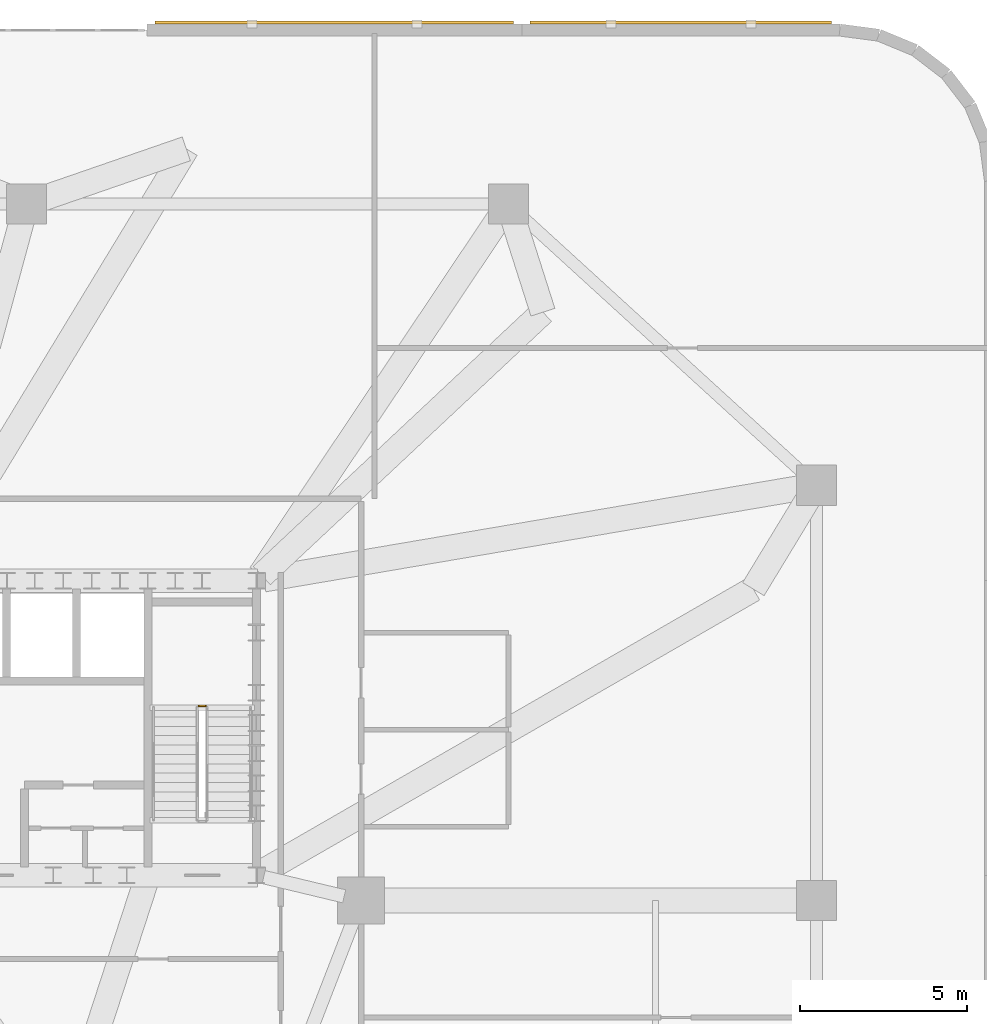
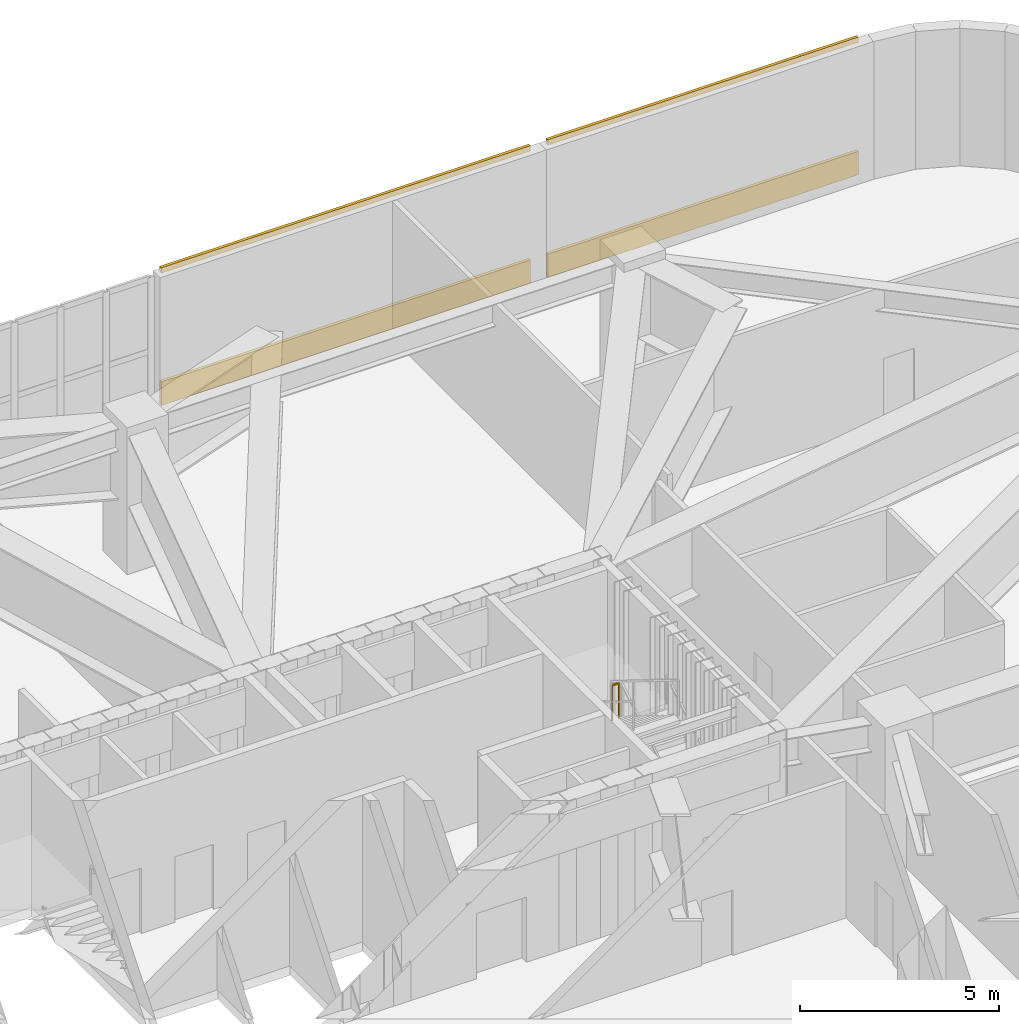
# One storey, part 25 of 26: 4 coverings, 1 railing.
"""IFC4 building model written with IfcOpenShell, lengths in metres."""

from ifc_helpers import new_model, si_unit, direction, frame, origin, origin_2d, place, context, subcontext, project, spatial, polyline, rectangle, outline, extrude, material, layer, layer_set, type_object, element, save


model = new_model("IFC4")

# Units and contexts
model_context = context("Model", 3, precision=1e-05, world=origin(), true_north=direction((0.0, 1.0)))
body_context = subcontext(model_context, "Body", "Model", "MODEL_VIEW")
ifc_project = project(units=[si_unit("LENGTHUNIT", "METRE"), si_unit("AREAUNIT", "SQUARE_METRE"), si_unit("VOLUMEUNIT", "CUBIC_METRE"), si_unit("PLANEANGLEUNIT", "RADIAN"), si_unit("MASSUNIT", "GRAM", prefix="KILO")], contexts=[model_context])

# Site, building, storey
site_placement = place(None, origin())
site = spatial("IfcSite", under=ifc_project, at=site_placement, CompositionType="ELEMENT")
building_placement = place(site_placement, origin())
building = spatial("IfcBuilding", under=site, at=building_placement, Name="Haldorwick Loom Tower", CompositionType="ELEMENT")
storey_placement = place(building_placement, frame((0.0, 0.0, 19.5)))
storey = spatial("IfcBuildingStorey", under=building, at=storey_placement, Name="L04", CompositionType="ELEMENT", Elevation=19.5)

# Coverings
ifc_material_1 = material(Name="Corbelled Pressed Clay Face Brick Veneer", Category="masonry")
ifc_layer = layer(ifc_material_1, 0.090087890625, Name="Corbelled Pressed Clay Face Brick Veneer", Category="masonry")
ifc_layer_set = layer_set([ifc_layer], Name="Corbelled Pressed Clay Face Brick Veneer")
covering_type = type_object("IfcCoveringType", Name="ARC-COV-BRICK090", PredefinedType="CLADDING", material=ifc_layer_set)
covering_1_placement = place(storey_placement, origin())
element("IfcCovering", 1, at=covering_1_placement, inside=storey, type_object=covering_type, Name="L04 Sill Face-Brick Spandrel 17", PredefinedType="CLADDING", context=body_context, shape_type="SweptSolid", body=[
    extrude(outline(polyline([(67.25, 52.27001953125), (58.25, 52.27001953125), (58.25, 52.179931640625), (67.25, 52.179931640625), (67.25, 52.27001953125)])), origin(), (0.0, 0.0, 1.0), 0.719970703125),
])
covering_2_placement = place(storey_placement, frame((0.0, 0.0, 4.06005859375)))
element("IfcCovering", 2, at=covering_2_placement, inside=storey, type_object=covering_type, Name="L04 Head Face-Brick Lintel Band 17", PredefinedType="CLADDING", context=body_context, shape_type="SweptSolid", body=[
    extrude(outline(polyline([(67.25, 52.27001953125), (58.25, 52.27001953125), (58.25, 52.179931640625), (67.25, 52.179931640625), (67.25, 52.27001953125)])), origin(), (0.0, 0.0, 1.0), 0.159912109375),
])
covering_3_placement = place(storey_placement, origin())
element("IfcCovering", 3, at=covering_3_placement, inside=storey, type_object=covering_type, Name="L04 Sill Face-Brick Spandrel 18", PredefinedType="CLADDING", context=body_context, shape_type="SweptSolid", body=[
    extrude(outline(polyline([(57.75, 52.27001953125), (47.050048828125, 52.27001953125), (47.050048828125, 52.179931640625), (57.75, 52.179931640625), (57.75, 52.27001953125)])), origin(), (0.0, 0.0, 1.0), 0.719970703125),
])
covering_4_placement = place(storey_placement, frame((0.0, 0.0, 4.06005859375)))
element("IfcCovering", 4, at=covering_4_placement, inside=storey, type_object=covering_type, Name="L04 Head Face-Brick Lintel Band 18", PredefinedType="CLADDING", context=body_context, shape_type="SweptSolid", body=[
    extrude(outline(polyline([(57.75, 52.27001953125), (47.050048828125, 52.27001953125), (47.050048828125, 52.179931640625), (57.75, 52.179931640625), (57.75, 52.27001953125)])), origin(), (0.0, 0.0, 1.0), 0.159912109375),
])

# Railing
ifc_material_2 = material(Name="Steel CSA G40.21 350W", Category="steel")
railing_type = type_object("IfcRailingType", Name="ARC-RLG-GUARD112", PredefinedType="GUARDRAIL", material=ifc_material_2)
railing_placement = place(storey_placement, frame((48.550048828125, 31.81005859375, 2.25)))
element("IfcRailing", 5, at=railing_placement, inside=storey, type_object=railing_type, Name="L04 ST-02 stair guard 2", PredefinedType="GUARDRAIL", context=body_context, shape_type="SweptSolid", body=[
    extrude(rectangle(XDim=0.048095703125, YDim=0.048095703125, at=origin_2d()), frame((0.0, 0.0, 1.076171875), z_axis=(-1.0, 0.0, 0.0), x_axis=(0.0, -1.0, 0.0)), (0.0, 0.0, 1.0), 0.199951171875),
    extrude(rectangle(XDim=0.0419921875, YDim=0.0419921875, at=origin_2d()), origin(), (0.0, 0.0, 1.0), 1.052001953125),
    extrude(rectangle(XDim=0.0419921875, YDim=0.0419921875, at=origin_2d()), frame((-0.199951171875, 0.0, 0.0)), (0.0, 0.0, 1.0), 1.052001953125),
])

save(model, "model.ifc")
